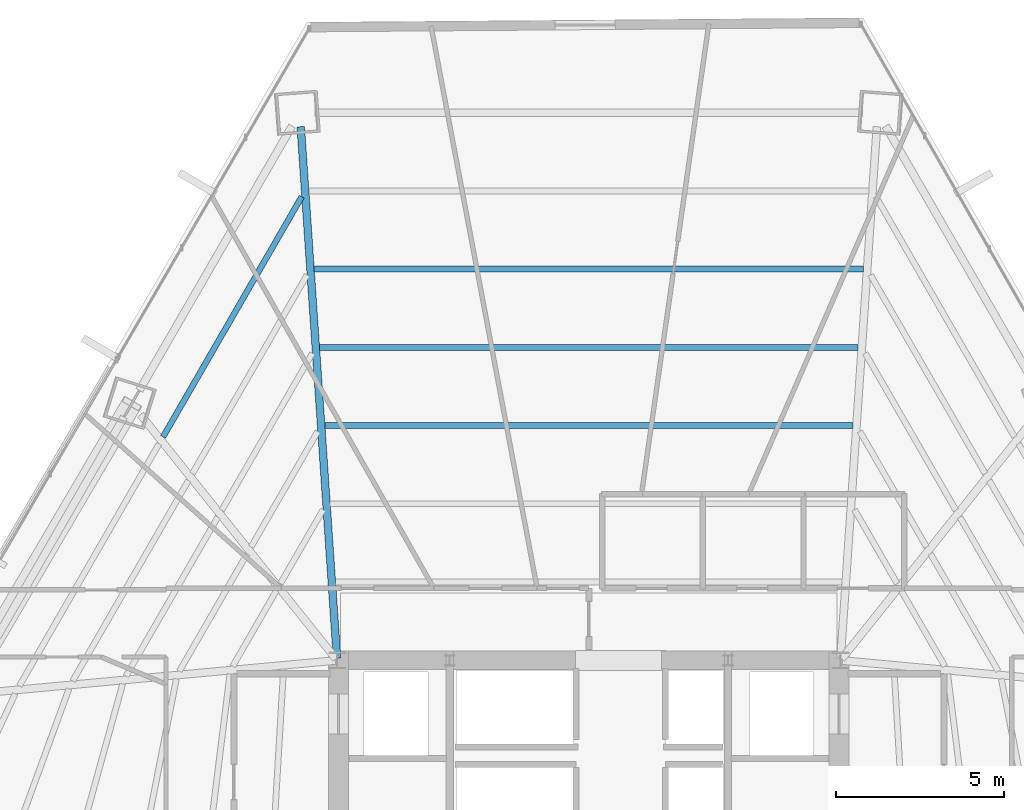
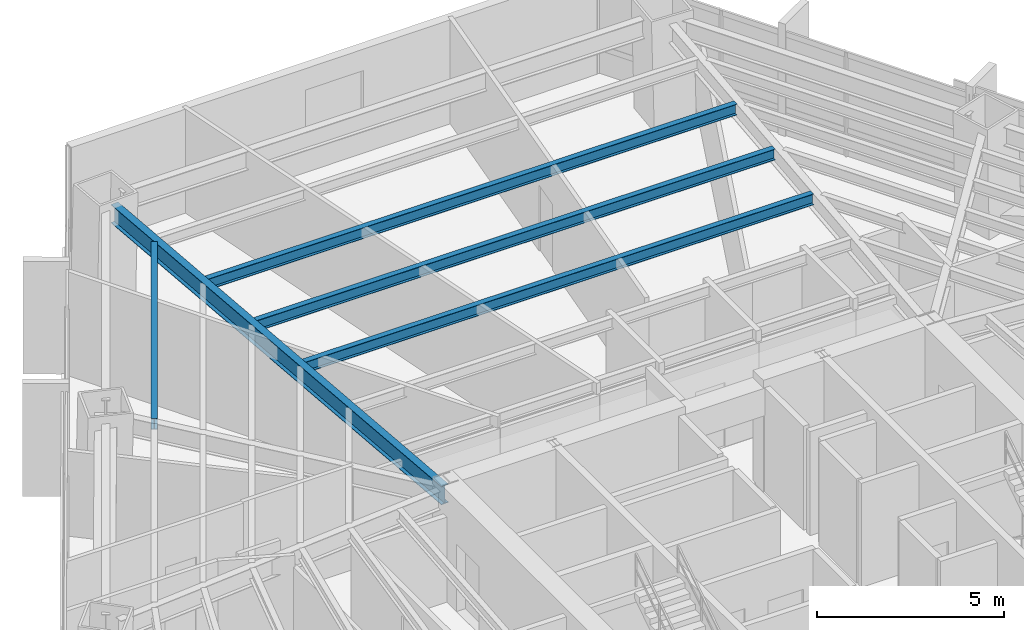
# One storey, part 24 of 35: 5 beams.
"""IFC4 building model written with IfcOpenShell, lengths in metres."""

import ifcopenshell
import ifcopenshell.guid

model = None  # the IFC model being written
_history = None  # IfcOwnerHistory: only IFC2X3 demands one
_inside = {}  # id of a spatial element -> (the spatial element, [elements in it])
_under = {}  # id of a project, library or spatial element -> (it, [spatial elements below it])
_declared = {}  # id of a project -> (the project, [libraries it declares])
_typed = {}  # id of a type object -> (the type object, [elements of that type])
_made_of = {}  # id of a material, layer set ... -> (it, [elements and type objects made of it])


def new_model(schema):
    """Start an empty IFC model of exactly this schema.

    Asked for "IFC4X3", IfcOpenShell would pick the latest addendum, in which some entities
    have other attributes; the version numbers below select the first issue.
    IFC2X3 requires an IfcOwnerHistory on every rooted entity: one is made here for all.
    """
    global model, _history
    if schema == "IFC4X3":
        model = ifcopenshell.file(schema_version=(4, 3, 0, 0))
    else:
        model = ifcopenshell.file(schema=schema)
    _inside.clear()
    _under.clear()
    _declared.clear()
    _typed.clear()
    _made_of.clear()
    _history = None
    if model.schema == "IFC2X3":
        org = make("IfcOrganization", Name="unknown")
        user = make(
            "IfcPersonAndOrganization",
            ThePerson=make("IfcPerson", FamilyName="unknown"),
            TheOrganization=org,
        )
        app = make(
            "IfcApplication",
            ApplicationDeveloper=org,
            Version="unknown",
            ApplicationFullName="unknown",
            ApplicationIdentifier="unknown",
        )
        _history = make(
            "IfcOwnerHistory",
            OwningUser=user,
            OwningApplication=app,
            ChangeAction="ADDED",
            CreationDate=0,
        )
    return model


def make(cls, **values):
    """One entity of the class cls with the attributes given. An attribute that is None is left unset."""
    return model.create_entity(
        cls, **{name: value for name, value in values.items() if value is not None}
    )


def rooted(cls, **values):
    """An entity with a GlobalId (a new one), such as an element, a storey or a relation."""
    return make(cls, GlobalId=ifcopenshell.guid.new(), OwnerHistory=_history, **values)


def si_unit(unit_type, name, prefix=None):
    """IfcSIUnit, for example si_unit("LENGTHUNIT", "METRE", prefix="MILLI")."""
    return make("IfcSIUnit", UnitType=unit_type, Prefix=prefix, Name=name)


def assignment(units):
    """IfcUnitAssignment: the units of a project."""
    return None if units is None else make("IfcUnitAssignment", Units=units)


def point(xyz):
    """IfcCartesianPoint."""
    return None if xyz is None else make("IfcCartesianPoint", Coordinates=xyz)


def direction(xyz):
    """IfcDirection."""
    return None if xyz is None else make("IfcDirection", DirectionRatios=xyz)


def frame(location, z_axis=None, x_axis=None):
    """IfcAxis2Placement3D, a coordinate frame: its origin and axes. An axis left out is left unset."""
    return make(
        "IfcAxis2Placement3D",
        Location=point(location),
        Axis=direction(z_axis),
        RefDirection=direction(x_axis),
    )


def frame_2d(location, x_axis=None):
    """IfcAxis2Placement2D, a coordinate frame in the plane: its origin and x axis."""
    return make(
        "IfcAxis2Placement2D", Location=point(location), RefDirection=direction(x_axis)
    )


def origin():
    """The frame at (0, 0, 0) with its axes left unset."""
    return frame((0.0, 0.0, 0.0))


def origin_2d():
    """The frame at (0, 0) in the plane with its x axis left unset."""
    return frame_2d((0.0, 0.0))


def place(relative_to, where):
    """IfcLocalPlacement: puts the frame where relative to a parent placement (None: the world)."""
    return make(
        "IfcLocalPlacement", PlacementRelTo=relative_to, RelativePlacement=where
    )


def context(
    kind, dimensions, precision=None, world=None, true_north=None, identifier=None
):
    """IfcGeometricRepresentationContext, for example the 3D "Model" context."""
    return make(
        "IfcGeometricRepresentationContext",
        ContextIdentifier=identifier,
        ContextType=kind,
        CoordinateSpaceDimension=dimensions,
        Precision=precision,
        WorldCoordinateSystem=world,
        TrueNorth=true_north,
    )


def subcontext(parent, identifier, kind, view, scale=None):
    """IfcGeometricRepresentationSubContext, for example "Body" below "Model"."""
    return make(
        "IfcGeometricRepresentationSubContext",
        ContextIdentifier=identifier,
        ContextType=kind,
        ParentContext=parent,
        TargetScale=scale,
        TargetView=view,
    )


def project(units=None, contexts=None):
    """IfcProject with its units and contexts."""
    return rooted(
        "IfcProject",
        Name="project",
        RepresentationContexts=contexts,
        UnitsInContext=assignment(units),
    )


def spatial(cls, under=None, at=None, **own):
    """A site, building, storey or space (cls), placed at a placement, below another one or the project."""
    s = rooted(cls, ObjectPlacement=at, **own)
    if under is not None:
        _under.setdefault(under.id(), (under, []))[1].append(s)
    return s


def profile(cls, at=None, kind="AREA", **sizes):
    """A parametric profile (cls). Its sizes go by their IFC names, for example OverallWidth=200.0."""
    return make(cls, ProfileType=kind, Position=at, **sizes)


def i_section(**sizes):
    """IfcIShapeProfileDef."""
    return profile("IfcIShapeProfileDef", **sizes)


def extrude(swept, where, along, depth):
    """IfcExtrudedAreaSolid: the profile swept, set in the frame where, extruded along a direction by depth."""
    return make(
        "IfcExtrudedAreaSolid",
        SweptArea=swept,
        Position=where,
        ExtrudedDirection=direction(along),
        Depth=depth,
    )


def shape(context_of_items, identifier, shape_type, items):
    """IfcShapeRepresentation: the items that make up one representation, for example the "Body"."""
    return make(
        "IfcShapeRepresentation",
        ContextOfItems=context_of_items,
        RepresentationIdentifier=identifier,
        RepresentationType=shape_type,
        Items=items,
    )


def source(mapping_origin, context_of_items, identifier, shape_type, items):
    """IfcRepresentationMap: a shape defined once, which mapped items show again and again."""
    return make(
        "IfcRepresentationMap",
        MappingOrigin=mapping_origin,
        MappedRepresentation=shape(context_of_items, identifier, shape_type, items),
    )


def transform(
    local_origin,
    x_axis=None,
    y_axis=None,
    z_axis=None,
    scale=None,
    scale2=None,
    scale3=None,
    uniform=True,
):
    """IfcCartesianTransformationOperator3D, or its non-uniform kind. x_axis, y_axis, z_axis: its Axis1, 2, 3."""
    if uniform:
        return make(
            "IfcCartesianTransformationOperator3D",
            Axis1=direction(x_axis),
            Axis2=direction(y_axis),
            LocalOrigin=point(local_origin),
            Scale=scale,
            Axis3=direction(z_axis),
        )
    return make(
        "IfcCartesianTransformationOperator3DnonUniform",
        Axis1=direction(x_axis),
        Axis2=direction(y_axis),
        LocalOrigin=point(local_origin),
        Scale=scale,
        Axis3=direction(z_axis),
        Scale2=scale2,
        Scale3=scale3,
    )


def mapped(mapping_source, mapping_target):
    """IfcMappedItem: shows the shape of a source again, moved by a transform."""
    return make(
        "IfcMappedItem", MappingSource=mapping_source, MappingTarget=mapping_target
    )


def material(Name=None, Category=None):
    """IfcMaterial."""
    return make("IfcMaterial", Name=Name, Category=Category)


def material_profile(
    of_material, cross_section, Name=None, Category=None, Priority=None
):
    """IfcMaterialProfile: a cross section and its material."""
    return make(
        "IfcMaterialProfile",
        Name=Name,
        Material=of_material,
        Profile=cross_section,
        Priority=Priority,
        Category=Category,
    )


def profile_set(profiles, Name=None, composite=None):
    """IfcMaterialProfileSet."""
    return make(
        "IfcMaterialProfileSet",
        Name=Name,
        MaterialProfiles=profiles,
        CompositeProfile=composite,
    )


def made_of(thing, what):
    """Note that an element or type object is made of a material, layer set ...; save() writes the relation."""
    if what is not None:
        _made_of.setdefault(what.id(), (what, []))[1].append(thing)
    return thing


def type_object(cls, material=None, **own):
    """A type object (cls), such as IfcWallType, which elements share."""
    return made_of(rooted(cls, **own), material)


def type_shapes(of_type, sources):
    """Give a type object the sources (RepresentationMaps) that its elements show as mapped items."""
    of_type.RepresentationMaps = sources


def element(
    cls,
    number,
    at=None,
    inside=None,
    cuts=None,
    type_object=None,
    material=None,
    context=None,
    identifier="Body",
    shape_type=None,
    held_by="IfcProductDefinitionShape",
    body=None,
    shapes=None,
    **own,
):
    """One element of the class cls, such as IfcWall. Its Tag is "e" and its number.

    at: its placement. inside: the storey or other place that contains it. cuts: it is an
    opening in that element (IfcRelVoidsElement). A single representation is given by context,
    identifier, shape_type and body (its items); several are given by shapes. held_by: the class
    of the entity that holds the representations. save() writes the other relations.
    """
    e = rooted(cls, Tag="e%d" % number, ObjectPlacement=at, **own)
    if body is not None:
        shapes = [shape(context, identifier, shape_type, body)]
    if shapes is not None:
        e.Representation = make(held_by, Representations=shapes)
    if inside is not None:
        _inside.setdefault(inside.id(), (inside, []))[1].append(e)
    if cuts is not None:
        rooted(
            "IfcRelVoidsElement", RelatingBuildingElement=cuts, RelatedOpeningElement=e
        )
    if type_object is not None:
        _typed.setdefault(type_object.id(), (type_object, []))[1].append(e)
    return made_of(e, material)


def aggregate(whole, parts):
    """IfcRelAggregates: a whole, such as a stair, and the parts it consists of."""
    return rooted("IfcRelAggregates", RelatingObject=whole, RelatedObjects=parts)


def save(model, path):
    """Write the relations noted so far, then the file.

    IfcRelAggregates (storeys below a building ...), IfcRelContainedInSpatialStructure (elements
    in a storey), IfcRelDefinesByType, IfcRelAssociatesMaterial and IfcRelDeclares: one each for
    every whole, place, type object, material and project.
    """
    for whole, parts in _under.values():
        aggregate(whole, parts)
    for where, things in _inside.values():
        rooted(
            "IfcRelContainedInSpatialStructure",
            RelatedElements=things,
            RelatingStructure=where,
        )
    for kind, things in _typed.values():
        rooted("IfcRelDefinesByType", RelatedObjects=things, RelatingType=kind)
    for what, things in _made_of.values():
        rooted("IfcRelAssociatesMaterial", RelatedObjects=things, RelatingMaterial=what)
    for by, libraries in _declared.values():
        rooted("IfcRelDeclares", RelatingContext=by, RelatedDefinitions=libraries)
    model.write(path)


model = new_model("IFC4")

# Units and contexts
model_context = context("Model", 3, precision=1e-05, world=origin(), true_north=direction((0.0, 1.0)))
body_context = subcontext(model_context, "Body", "Model", "MODEL_VIEW")
ifc_project = project(units=[si_unit("LENGTHUNIT", "METRE"), si_unit("AREAUNIT", "SQUARE_METRE"), si_unit("VOLUMEUNIT", "CUBIC_METRE"), si_unit("PLANEANGLEUNIT", "RADIAN"), si_unit("MASSUNIT", "GRAM", prefix="KILO")], contexts=[model_context])

# Site, building, storey
site_placement = place(None, origin())
site = spatial("IfcSite", under=ifc_project, at=site_placement, CompositionType="ELEMENT")
building_placement = place(site_placement, origin())
building = spatial("IfcBuilding", under=site, at=building_placement, Name="Caelisora Broadcast Tower", CompositionType="ELEMENT")
storey_placement = place(building_placement, frame((0.0, 0.0, 53.14990234375)))
storey = spatial("IfcBuildingStorey", under=building, at=storey_placement, Name="L13", CompositionType="ELEMENT", Elevation=53.14990234375)

# Beams
ifc_material = material(Name="Steel Grade 350 (AS/NZS 3679.1)", Category="steel")
ifc_material_profile_1 = material_profile(ifc_material, i_section(OverallWidth=0.22802734375, OverallDepth=0.602294921875, WebThickness=0.010498046875, FlangeThickness=0.014892578125, at=origin_2d()), Name="Steel Grade 350 (AS/NZS 3679.1)")
ifc_profile_set_1 = profile_set([ifc_material_profile_1], Name="Steel Grade 350 (AS/NZS 3679.1)")
beam_type_1 = type_object("IfcBeamType", Name="PG04", PredefinedType="BEAM", material=ifc_profile_set_1)
shared_shape_1 = source(origin(), body_context, "Body", "SweptSolid", [
    extrude(i_section(OverallWidth=0.22802734375, OverallDepth=0.602294921875, WebThickness=0.010498046875, FlangeThickness=0.014892578125, at=origin_2d()), origin(), (0.0, 0.0, 1.0), 15.88134765625),
])
type_shapes(beam_type_1, [shared_shape_1])
beam_1_placement = place(storey_placement, frame((30.495849609375, 30.059814453125, 3.098876953125), z_axis=(-0.068086137971, 0.997679446424, 0.0), x_axis=(-0.997679446424, -0.068086137971, 0.0)))
element("IfcBeam", 1, at=beam_1_placement, inside=storey, type_object=beam_type_1, Name="L13 beam PG04", PredefinedType="BEAM", context=body_context, shape_type="MappedRepresentation", body=[
    mapped(shared_shape_1, transform((0.0, 0.0, 0.0), scale=1.0)),
])
ifc_material_profile_2 = material_profile(ifc_material, i_section(OverallWidth=0.172119140625, OverallDepth=0.358642578125, WebThickness=0.008056640625, FlangeThickness=0.012939453125, at=origin_2d()), Name="Steel Grade 350 (AS/NZS 3679.1)")
ifc_profile_set_2 = profile_set([ifc_material_profile_2], Name="Steel Grade 350 (AS/NZS 3679.1)")
beam_type_2 = type_object("IfcBeamType", Name="SB02", PredefinedType="JOIST", material=ifc_profile_set_2)
shared_shape_2 = source(origin(), body_context, "Body", "SweptSolid", [
    extrude(i_section(OverallWidth=0.172119140625, OverallDepth=0.358642578125, WebThickness=0.008056640625, FlangeThickness=0.012939453125, at=origin_2d()), origin(), (0.0, 0.0, 1.0), 15.732421875),
])
beam_2_placement = place(storey_placement, frame((45.8662109375, 36.99560546875, 3.220703125), z_axis=(-1.0, 0.0, 0.0), x_axis=(0.0, -1.0, 0.0)))
element("IfcBeam", 2, at=beam_2_placement, inside=storey, type_object=beam_type_2, Name="L13 beam SB02", PredefinedType="JOIST", context=body_context, shape_type="MappedRepresentation", body=[
    mapped(shared_shape_2, transform((0.0, 0.0, 0.0), scale=1.0)),
])
shared_shape_3 = source(origin(), body_context, "Body", "SweptSolid", [
    extrude(i_section(OverallWidth=0.172119140625, OverallDepth=0.358642578125, WebThickness=0.008056640625, FlangeThickness=0.012939453125, at=origin_2d()), origin(), (0.0, 0.0, 1.0), 16.05078125),
])
beam_3_placement = place(storey_placement, frame((46.025390625, 39.32763671875, 3.220703125), z_axis=(-1.0, 0.0, 0.0), x_axis=(0.0, -1.0, 0.0)))
element("IfcBeam", 3, at=beam_3_placement, inside=storey, type_object=beam_type_2, Name="L13 beam SB02", PredefinedType="JOIST", context=body_context, shape_type="MappedRepresentation", body=[
    mapped(shared_shape_3, transform((0.0, 0.0, 0.0), scale=1.0)),
])
shared_shape_4 = source(origin(), body_context, "Body", "SweptSolid", [
    extrude(i_section(OverallWidth=0.172119140625, OverallDepth=0.358642578125, WebThickness=0.008056640625, FlangeThickness=0.012939453125, at=origin_2d()), origin(), (0.0, 0.0, 1.0), 16.36865234375),
])
beam_4_placement = place(storey_placement, frame((46.184326171875, 41.65966796875, 3.220703125), z_axis=(-1.0, 0.0, 0.0), x_axis=(0.0, -1.0, 0.0)))
element("IfcBeam", 4, at=beam_4_placement, inside=storey, type_object=beam_type_2, Name="L13 beam SB02", PredefinedType="JOIST", context=body_context, shape_type="MappedRepresentation", body=[
    mapped(shared_shape_4, transform((0.0, 0.0, 0.0), scale=1.0)),
])
shared_shape_5 = source(origin(), body_context, "Body", "SweptSolid", [
    extrude(i_section(OverallWidth=0.172119140625, OverallDepth=0.358642578125, WebThickness=0.008056640625, FlangeThickness=0.012939453125, at=origin_2d()), origin(), (0.0, 0.0, 1.0), 8.26513671875),
])
type_shapes(beam_type_2, [shared_shape_2, shared_shape_3, shared_shape_4, shared_shape_5])
beam_5_placement = place(storey_placement, frame((29.4443359375, 43.817138671875, 3.220703125), z_axis=(-0.499992632962, -0.866029657104, 0.0), x_axis=(0.866029657104, -0.499992632962, 0.0)))
element("IfcBeam", 5, at=beam_5_placement, inside=storey, type_object=beam_type_2, Name="L13 beam SB02", PredefinedType="JOIST", context=body_context, shape_type="MappedRepresentation", body=[
    mapped(shared_shape_5, transform((0.0, 0.0, 0.0), scale=1.0)),
])

save(model, "model.ifc")
